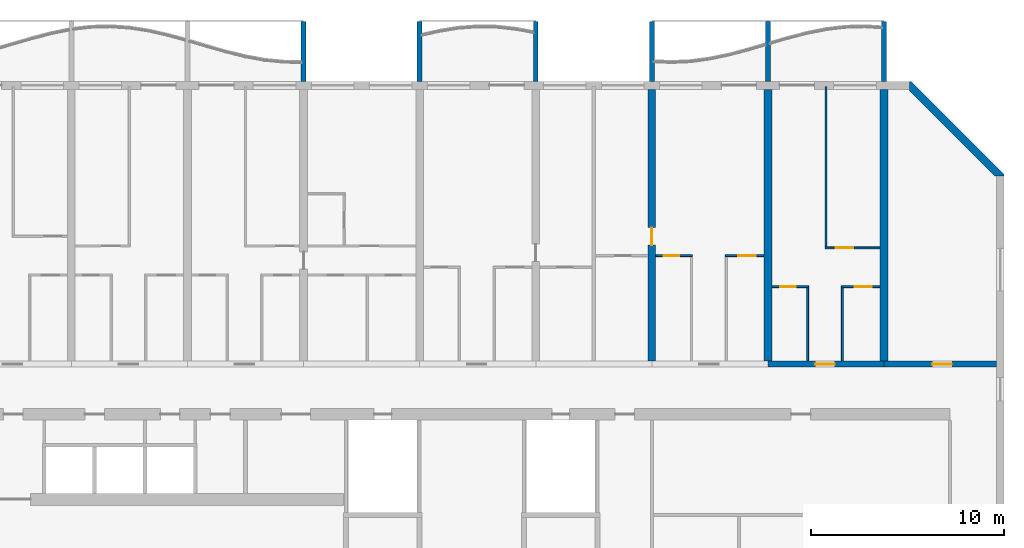
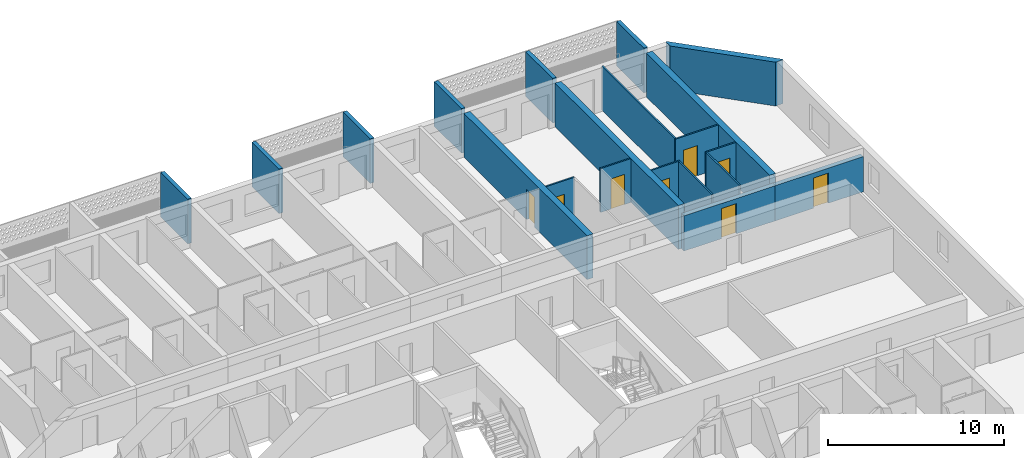
# One storey, part 19 of 44: 20 walls, 8 doors, 8 openings.
"""IFC4 building model written with IfcOpenShell, lengths in metres."""

from ifc_helpers import new_model, si_unit, direction, frame, frame_2d, origin, place, context, subcontext, project, spatial, polyline, rectangle, outline, extrude, source, transform, mapped, material, layer, layer_set, type_object, element, fill, save


model = new_model("IFC4")

# Units and contexts
model_context = context("Model", 3, precision=1e-05, world=origin(), true_north=direction((0.0, 1.0)))
body_context = subcontext(model_context, "Body", "Model", "MODEL_VIEW")
ifc_project = project(units=[si_unit("LENGTHUNIT", "METRE"), si_unit("AREAUNIT", "SQUARE_METRE"), si_unit("VOLUMEUNIT", "CUBIC_METRE"), si_unit("PLANEANGLEUNIT", "RADIAN"), si_unit("MASSUNIT", "GRAM", prefix="KILO")], contexts=[model_context])

# Site, building, storey
site_placement = place(None, origin())
site = spatial("IfcSite", under=ifc_project, at=site_placement, CompositionType="ELEMENT")
building_placement = place(site_placement, origin())
building = spatial("IfcBuilding", under=site, at=building_placement, Name="Poui Terraces", CompositionType="ELEMENT")
storey_placement = place(building_placement, frame((0.0, 0.0, 30.0)))
storey = spatial("IfcBuildingStorey", under=building, at=storey_placement, Name="L07", CompositionType="ELEMENT", Elevation=30.0)

# Wall, opening, door
ifc_material_1 = material(Name="Concrete 80 MPa", Category="concrete")
ifc_layer_1 = layer(ifc_material_1, 0.300048828125)
ifc_layer_set_1 = layer_set([ifc_layer_1], Name="Concrete 80 MPa")
wall_type_1 = type_object("IfcWallType", Name="CORRIDOR WALL 300 80MPa", PredefinedType="SHEAR", material=ifc_layer_set_1)
wall_1_placement = place(storey_placement, frame((90.0, 30.39990234375, 0.0), z_axis=(0.0, 0.0, 1.0), x_axis=(1.0, 0.0, 0.0)))
wall_1 = element("IfcWall", 1, at=wall_1_placement, inside=storey, type_object=wall_type_1, Name="CORRIDOR WALL LINE E BAY 16", PredefinedType="SHEAR", context=body_context, shape_type="SweptSolid", body=[
    extrude(rectangle(XDim=6.0, YDim=0.300048828125, at=frame_2d((3.0, 0.0))), origin(), (0.0, 0.0, 1.0), 2.449951171875),
])
opening_1_placement = place(wall_1_placement, frame((2.449951171875, 0.0, 0.0)))
opening_1 = element("IfcOpeningElement", 2, at=opening_1_placement, cuts=wall_1, Name="Opening FD30S", PredefinedType="OPENING", context=body_context, shape_type="SweptSolid", body=[
    extrude(rectangle(XDim=1.0, YDim=2.10009765625, at=frame_2d((0.5, 1.050048828125))), frame((0.0, 0.16015625, 0.0), z_axis=(0.0, -1.0, 0.0), x_axis=(1.0, 0.0, 0.0)), (0.0, 0.0, 1.0), 0.320068359375),
])
ifc_material_2 = material(Name="Steel fire door", Category="steel")
door_type_1 = type_object("IfcDoorType", Name="FLAT ENTRANCE DOOR 1000 X 2100", OperationType="NOTDEFINED", PredefinedType="DOOR", material=ifc_material_2)
door_1_placement = place(opening_1_placement, origin())
door_1 = element("IfcDoor", 3, at=door_1_placement, inside=storey, type_object=door_type_1, Name="FLAT ENTRANCE DOOR 087", OperationType="SINGLE_SWING_LEFT", OverallHeight=2.10009765625, OverallWidth=1.0, PredefinedType="DOOR", context=body_context, shape_type="SweptSolid", body=[
    extrude(rectangle(XDim=1.0, YDim=2.10009765625, at=frame_2d((0.5, 1.050048828125))), frame((0.0, 0.02490234375, 0.0), z_axis=(0.0, -1.0, 0.0), x_axis=(1.0, 0.0, 0.0)), (0.0, 0.0, 1.0), 0.050048828125),
])
fill(opening_1, door_1)

wall_2_placement = place(storey_placement, frame((96.0, 30.39990234375, 0.0), z_axis=(0.0, 0.0, 1.0), x_axis=(1.0, 0.0, 0.0)))
wall_2 = element("IfcWall", 4, at=wall_2_placement, inside=storey, type_object=wall_type_1, Name="CORRIDOR WALL LINE E BAY 17", PredefinedType="SHEAR", context=body_context, shape_type="SweptSolid", body=[
    extrude(rectangle(XDim=5.800048828125, YDim=0.300048828125, at=frame_2d((2.89990234375, 0.0))), origin(), (0.0, 0.0, 1.0), 2.449951171875),
])
opening_2_placement = place(wall_2_placement, frame((2.5, 0.0, 0.0)))
opening_2 = element("IfcOpeningElement", 5, at=opening_2_placement, cuts=wall_2, Name="Opening D100", PredefinedType="OPENING", context=body_context, shape_type="SweptSolid", body=[
    extrude(rectangle(XDim=1.0, YDim=2.10009765625, at=frame_2d((0.5, 1.050048828125))), frame((0.0, 0.16015625, 0.0), z_axis=(0.0, -1.0, 0.0), x_axis=(1.0, 0.0, 0.0)), (0.0, 0.0, 1.0), 0.320068359375),
])
ifc_material_3 = material(Name="Solid core timber door", Category="wood")
door_type_2 = type_object("IfcDoorType", Name="ACCESSIBLE INTERNAL DOOR 1000 X 2100", OperationType="NOTDEFINED", PredefinedType="DOOR", material=ifc_material_3)
door_2_placement = place(opening_2_placement, origin())
door_2 = element("IfcDoor", 6, at=door_2_placement, inside=storey, type_object=door_type_2, Name="ACCESSIBLE INTERNAL DOOR 090", OperationType="SINGLE_SWING_LEFT", OverallHeight=2.10009765625, OverallWidth=1.0, PredefinedType="DOOR", context=body_context, shape_type="SweptSolid", body=[
    extrude(rectangle(XDim=1.0, YDim=2.10009765625, at=frame_2d((0.5, 1.050048828125))), frame((0.0, 0.02490234375, 0.0), z_axis=(0.0, -1.0, 0.0), x_axis=(1.0, 0.0, 0.0)), (0.0, 0.0, 1.0), 0.050048828125),
])
fill(opening_2, door_2)

ifc_layer_2 = layer(ifc_material_1, 0.39990234375)
ifc_layer_set_2 = layer_set([ifc_layer_2], Name="Concrete 80 MPa")
wall_type_2 = type_object("IfcWallType", Name="CROSS WALL 400 80MPa", PredefinedType="SHEAR", material=ifc_layer_set_2)
wall_3_placement = place(storey_placement, frame((84.0, 30.550048828125, 0.0), z_axis=(0.0, 0.0, 1.0), x_axis=(0.0, 1.0, 0.0)))
wall_3 = element("IfcWall", 7, at=wall_3_placement, inside=storey, type_object=wall_type_2, Name="CROSS WALL LINE 15 NORTH", PredefinedType="SHEAR", context=body_context, shape_type="SweptSolid", body=[
    extrude(rectangle(XDim=14.050048828125, YDim=0.39990234375, at=frame_2d((7.02490234375, 0.0))), origin(), (0.0, 0.0, 1.0), 3.050048828125),
])
opening_3_placement = place(wall_3_placement, frame((6.0, 0.0, 0.0)))
opening_3 = element("IfcOpeningElement", 8, at=opening_3_placement, cuts=wall_3, Name="Opening D90", PredefinedType="OPENING", context=body_context, shape_type="SweptSolid", body=[
    extrude(rectangle(XDim=0.89990234375, YDim=2.10009765625, at=frame_2d((0.449951171875, 1.050048828125))), frame((0.0, 0.2099609375, 0.0), z_axis=(0.0, -1.0, 0.0), x_axis=(1.0, 0.0, 0.0)), (0.0, 0.0, 1.0), 0.419921875),
])
door_type_3 = type_object("IfcDoorType", Name="INTERNAL DOOR 900 X 2100", OperationType="NOTDEFINED", PredefinedType="DOOR", material=ifc_material_3)
door_3_placement = place(opening_3_placement, origin())
door_3 = element("IfcDoor", 9, at=door_3_placement, inside=storey, type_object=door_type_3, Name="INTERNAL DOOR 082", OperationType="SINGLE_SWING_LEFT", OverallHeight=2.10009765625, OverallWidth=0.89990234375, PredefinedType="DOOR", context=body_context, shape_type="SweptSolid", body=[
    extrude(rectangle(XDim=0.89990234375, YDim=2.10009765625, at=frame_2d((0.449951171875, 1.050048828125))), frame((0.0, 0.02490234375, 0.0), z_axis=(0.0, -1.0, 0.0), x_axis=(1.0, 0.0, 0.0)), (0.0, 0.0, 1.0), 0.050048828125),
])
fill(opening_3, door_3)

# Walls
for number, where, z_axis, x_axis, name in (
    (10, (90.0, 30.550048828125, 0.0), (0.0, 0.0, 1.0), (0.0, 1.0, 0.0), "CROSS WALL LINE 16 NORTH"),
    (11, (96.0, 30.550048828125, 0.0), (0.0, 0.0, 1.0), (0.0, 1.0, 0.0), "CROSS WALL LINE 17 NORTH"),
):
    element("IfcWall", number, at=place(storey_placement, frame(where, z_axis=z_axis, x_axis=x_axis)), inside=storey, type_object=wall_type_2, Name=name, PredefinedType="SHEAR", context=body_context, shape_type="SweptSolid", body=[
        extrude(rectangle(XDim=14.050048828125, YDim=0.39990234375, at=frame_2d((7.02490234375, 0.0))), origin(), (0.0, 0.0, 1.0), 3.050048828125),
    ])

# Wall, opening, door
ifc_material_4 = material(Name="Plasterboard partition")
ifc_layer_3 = layer(ifc_material_4, 0.10009765625)
ifc_layer_set_3 = layer_set([ifc_layer_3], Name="Plasterboard partition")
wall_type_3 = type_object("IfcWallType", Name="FLAT PARTITION 100", PredefinedType="PARTITIONING", material=ifc_layer_set_3)
wall_4_placement = place(storey_placement, frame((90.2099609375, 34.39990234375, 0.0), z_axis=(0.0, 0.0, 1.0), x_axis=(1.0, 0.0, 0.0)))
wall_4 = element("IfcWall", 12, at=wall_4_placement, inside=storey, type_object=wall_type_3, Name="FLAT PARTITION 100", PredefinedType="PARTITIONING", context=body_context, shape_type="SweptSolid", body=[
    extrude(rectangle(XDim=1.89013671875, YDim=0.10009765625, at=frame_2d((0.945068359375, 0.0))), origin(), (0.0, 0.0, 1.0), 3.050048828125),
])
opening_4_placement = place(wall_4_placement, frame((0.4150390625, 0.0, 0.0)))
opening_4 = element("IfcOpeningElement", 13, at=opening_4_placement, cuts=wall_4, Name="Opening D80", PredefinedType="OPENING", context=body_context, shape_type="SweptSolid", body=[
    extrude(rectangle(XDim=0.800048828125, YDim=2.10009765625, at=frame_2d((0.39990234375, 1.050048828125))), frame((0.0, 0.06005859375, 0.0), z_axis=(0.0, -1.0, 0.0), x_axis=(1.0, 0.0, 0.0)), (0.0, 0.0, 1.0), 0.1201171875),
])
door_type_4 = type_object("IfcDoorType", Name="BATHROOM, LAUNDRY AND STORE DOOR 800 X 2100", OperationType="NOTDEFINED", PredefinedType="DOOR", material=ifc_material_3)
door_4_placement = place(opening_4_placement, frame((0.800048828125, 0.0, 0.0), z_axis=(0.0, 0.0, 1.0), x_axis=(-1.0, 0.0, 0.0)))
door_4 = element("IfcDoor", 14, at=door_4_placement, inside=storey, type_object=door_type_4, Name="BATHROOM, LAUNDRY AND STORE DOOR 086", OperationType="SINGLE_SWING_LEFT", OverallHeight=2.10009765625, OverallWidth=0.800048828125, PredefinedType="DOOR", context=body_context, shape_type="SweptSolid", body=[
    extrude(rectangle(XDim=0.800048828125, YDim=2.10009765625, at=frame_2d((0.39990234375, 1.050048828125))), frame((0.0, 0.02490234375, 0.0), z_axis=(0.0, -1.0, 0.0), x_axis=(1.0, 0.0, 0.0)), (0.0, 0.0, 1.0), 0.050048828125),
])
fill(opening_4, door_4)

wall_5_placement = place(storey_placement, frame((93.800048828125, 34.39990234375, 0.0), z_axis=(0.0, 0.0, 1.0), x_axis=(1.0, 0.0, 0.0)))
wall_5 = element("IfcWall", 15, at=wall_5_placement, inside=storey, type_object=wall_type_3, Name="FLAT PARTITION 100", PredefinedType="PARTITIONING", context=body_context, shape_type="SweptSolid", body=[
    extrude(rectangle(XDim=1.989990234375, YDim=0.10009765625, at=frame_2d((0.9951171875, 0.0))), origin(), (0.0, 0.0, 1.0), 3.050048828125),
])
opening_5_placement = place(wall_5_placement, frame((0.675048828125, 0.0, 0.0)))
opening_5 = element("IfcOpeningElement", 16, at=opening_5_placement, cuts=wall_5, Name="Opening D90", PredefinedType="OPENING", context=body_context, shape_type="SweptSolid", body=[
    extrude(rectangle(XDim=0.89990234375, YDim=2.10009765625, at=frame_2d((0.449951171875, 1.050048828125))), frame((0.0, 0.06005859375, 0.0), z_axis=(0.0, -1.0, 0.0), x_axis=(1.0, 0.0, 0.0)), (0.0, 0.0, 1.0), 0.1201171875),
])
door_5_placement = place(opening_5_placement, frame((0.89990234375, 0.0, 0.0), z_axis=(0.0, 0.0, 1.0), x_axis=(-1.0, 0.0, 0.0)))
door_5 = element("IfcDoor", 17, at=door_5_placement, inside=storey, type_object=door_type_3, Name="INTERNAL DOOR 089", OperationType="SINGLE_SWING_RIGHT", OverallHeight=2.10009765625, OverallWidth=0.89990234375, PredefinedType="DOOR", context=body_context, shape_type="SweptSolid", body=[
    extrude(rectangle(XDim=0.89990234375, YDim=2.10009765625, at=frame_2d((0.449951171875, 1.050048828125))), frame((0.0, 0.02490234375, 0.0), z_axis=(0.0, -1.0, 0.0), x_axis=(1.0, 0.0, 0.0)), (0.0, 0.0, 1.0), 0.050048828125),
])
fill(opening_5, door_5)

wall_6_placement = place(storey_placement, frame((84.2099609375, 36.0, 0.0), z_axis=(0.0, 0.0, 1.0), x_axis=(1.0, 0.0, 0.0)))
wall_6 = element("IfcWall", 18, at=wall_6_placement, inside=storey, type_object=wall_type_3, Name="FLAT PARTITION 100", PredefinedType="PARTITIONING", context=body_context, shape_type="SweptSolid", body=[
    extrude(rectangle(XDim=1.89013671875, YDim=0.10009765625, at=frame_2d((0.945068359375, 0.0))), origin(), (0.0, 0.0, 1.0), 3.050048828125),
])
opening_6_placement = place(wall_6_placement, frame((0.4150390625, 0.0, 0.0)))
opening_6 = element("IfcOpeningElement", 19, at=opening_6_placement, cuts=wall_6, Name="Opening D80", PredefinedType="OPENING", context=body_context, shape_type="SweptSolid", body=[
    extrude(rectangle(XDim=0.800048828125, YDim=2.10009765625, at=frame_2d((0.39990234375, 1.050048828125))), frame((0.0, 0.06005859375, 0.0), z_axis=(0.0, -1.0, 0.0), x_axis=(1.0, 0.0, 0.0)), (0.0, 0.0, 1.0), 0.1201171875),
])
door_6_placement = place(opening_6_placement, frame((0.800048828125, 0.0, 0.0), z_axis=(0.0, 0.0, 1.0), x_axis=(-1.0, 0.0, 0.0)))
door_6 = element("IfcDoor", 20, at=door_6_placement, inside=storey, type_object=door_type_4, Name="BATHROOM, LAUNDRY AND STORE DOOR 083", OperationType="SINGLE_SWING_LEFT", OverallHeight=2.10009765625, OverallWidth=0.800048828125, PredefinedType="DOOR", context=body_context, shape_type="SweptSolid", body=[
    extrude(rectangle(XDim=0.800048828125, YDim=2.10009765625, at=frame_2d((0.39990234375, 1.050048828125))), frame((0.0, 0.02490234375, 0.0), z_axis=(0.0, -1.0, 0.0), x_axis=(1.0, 0.0, 0.0)), (0.0, 0.0, 1.0), 0.050048828125),
])
fill(opening_6, door_6)

wall_7_placement = place(storey_placement, frame((87.800048828125, 36.0, 0.0), z_axis=(0.0, 0.0, 1.0), x_axis=(1.0, 0.0, 0.0)))
wall_7 = element("IfcWall", 21, at=wall_7_placement, inside=storey, type_object=wall_type_3, Name="FLAT PARTITION 100", PredefinedType="PARTITIONING", context=body_context, shape_type="SweptSolid", body=[
    extrude(rectangle(XDim=1.989990234375, YDim=0.10009765625, at=frame_2d((0.9951171875, 0.0))), origin(), (0.0, 0.0, 1.0), 3.050048828125),
])
opening_7_placement = place(wall_7_placement, frame((0.675048828125, 0.0, 0.0)))
opening_7 = element("IfcOpeningElement", 22, at=opening_7_placement, cuts=wall_7, Name="Opening D90", PredefinedType="OPENING", context=body_context, shape_type="SweptSolid", body=[
    extrude(rectangle(XDim=0.89990234375, YDim=2.10009765625, at=frame_2d((0.449951171875, 1.050048828125))), frame((0.0, 0.06005859375, 0.0), z_axis=(0.0, -1.0, 0.0), x_axis=(1.0, 0.0, 0.0)), (0.0, 0.0, 1.0), 0.1201171875),
])
door_7_placement = place(opening_7_placement, frame((0.89990234375, 0.0, 0.0), z_axis=(0.0, 0.0, 1.0), x_axis=(-1.0, 0.0, 0.0)))
door_7 = element("IfcDoor", 23, at=door_7_placement, inside=storey, type_object=door_type_3, Name="INTERNAL DOOR 085", OperationType="SINGLE_SWING_RIGHT", OverallHeight=2.10009765625, OverallWidth=0.89990234375, PredefinedType="DOOR", context=body_context, shape_type="SweptSolid", body=[
    extrude(rectangle(XDim=0.89990234375, YDim=2.10009765625, at=frame_2d((0.449951171875, 1.050048828125))), frame((0.0, 0.02490234375, 0.0), z_axis=(0.0, -1.0, 0.0), x_axis=(1.0, 0.0, 0.0)), (0.0, 0.0, 1.0), 0.050048828125),
])
fill(opening_7, door_7)

wall_8_placement = place(storey_placement, frame((92.949951171875, 36.39990234375, 0.0), z_axis=(0.0, 0.0, 1.0), x_axis=(1.0, 0.0, 0.0)))
wall_8 = element("IfcWall", 24, at=wall_8_placement, inside=storey, type_object=wall_type_3, Name="FLAT PARTITION 100", PredefinedType="PARTITIONING", context=body_context, shape_type="SweptSolid", body=[
    extrude(rectangle(XDim=2.840087890625, YDim=0.10009765625, at=frame_2d((1.419921875, 0.0))), origin(), (0.0, 0.0, 1.0), 3.050048828125),
])
opening_8_placement = place(wall_8_placement, frame((0.550048828125, 0.0, 0.0)))
opening_8 = element("IfcOpeningElement", 25, at=opening_8_placement, cuts=wall_8, Name="Opening D90", PredefinedType="OPENING", context=body_context, shape_type="SweptSolid", body=[
    extrude(rectangle(XDim=0.89990234375, YDim=2.10009765625, at=frame_2d((0.449951171875, 1.050048828125))), frame((0.0, 0.06005859375, 0.0), z_axis=(0.0, -1.0, 0.0), x_axis=(1.0, 0.0, 0.0)), (0.0, 0.0, 1.0), 0.1201171875),
])
door_8_placement = place(opening_8_placement, frame((0.89990234375, 0.0, 0.0), z_axis=(0.0, 0.0, 1.0), x_axis=(-1.0, 0.0, 0.0)))
door_8 = element("IfcDoor", 26, at=door_8_placement, inside=storey, type_object=door_type_3, Name="INTERNAL DOOR 088", OperationType="SINGLE_SWING_LEFT", OverallHeight=2.10009765625, OverallWidth=0.89990234375, PredefinedType="DOOR", context=body_context, shape_type="SweptSolid", body=[
    extrude(rectangle(XDim=0.89990234375, YDim=2.10009765625, at=frame_2d((0.449951171875, 1.050048828125))), frame((0.0, 0.02490234375, 0.0), z_axis=(0.0, -1.0, 0.0), x_axis=(1.0, 0.0, 0.0)), (0.0, 0.0, 1.0), 0.050048828125),
])
fill(opening_8, door_8)

# Walls
wall_9_placement = place(storey_placement, frame((92.050048828125, 30.56005859375, 0.0), z_axis=(0.0, 0.0, 1.0), x_axis=(0.0, 1.0, 0.0)))
element("IfcWall", 27, at=wall_9_placement, inside=storey, type_object=wall_type_3, Name="FLAT PARTITION 100", PredefinedType="PARTITIONING", context=body_context, shape_type="SweptSolid", body=[
    extrude(rectangle(XDim=3.7900390625, YDim=0.10009765625, at=frame_2d((1.89501953125, 0.0))), origin(), (0.0, 0.0, 1.0), 3.050048828125),
])
wall_10_placement = place(storey_placement, frame((93.0, 36.449951171875, 0.0), z_axis=(0.0, 0.0, 1.0), x_axis=(0.0, 1.0, 0.0)))
element("IfcWall", 28, at=wall_10_placement, inside=storey, type_object=wall_type_3, Name="FLAT PARTITION 100", PredefinedType="PARTITIONING", context=body_context, shape_type="SweptSolid", body=[
    extrude(rectangle(XDim=8.2900390625, YDim=0.10009765625, at=frame_2d((4.14501953125, 0.0))), origin(), (0.0, 0.0, 1.0), 3.050048828125),
])
wall_11_placement = place(storey_placement, frame((93.85009765625, 30.56005859375, 0.0), z_axis=(0.0, 0.0, 1.0), x_axis=(0.0, 1.0, 0.0)))
element("IfcWall", 29, at=wall_11_placement, inside=storey, type_object=wall_type_3, Name="FLAT PARTITION 100", PredefinedType="PARTITIONING", context=body_context, shape_type="SweptSolid", body=[
    extrude(rectangle(XDim=3.7900390625, YDim=0.10009765625, at=frame_2d((1.89501953125, 0.0))), origin(), (0.0, 0.0, 1.0), 3.050048828125),
])
ifc_material_5 = material(Name="Precast concrete 40 MPa", Category="concrete")
ifc_layer_4 = layer(ifc_material_5, 0.39990234375)
ifc_layer_set_4 = layer_set([ifc_layer_4], Name="Precast concrete 40 MPa")
wall_type_4 = type_object("IfcWallType", Name="TERRACOTTA CLAD CHAMFER WALL 400", PredefinedType="STANDARD", material=ifc_layer_set_4)
wall_12_placement = place(storey_placement, origin())
element("IfcWall", 30, at=wall_12_placement, inside=storey, type_object=wall_type_4, Name="CHAMFER WALL CH03", PredefinedType="STANDARD", context=body_context, shape_type="SweptSolid", body=[
    extrude(outline(polyline([(102.199951171875, 40.1171875), (102.199951171875, 40.199951171875), (97.39990234375, 45.0), (97.317138671875, 45.0), (97.317138671875, 44.51708984375), (101.71728515625, 40.1171875), (102.199951171875, 40.1171875)])), origin(), (0.0, 0.0, 1.0), 3.050048828125),
])
ifc_layer_5 = layer(ifc_material_5, 0.25)
ifc_layer_set_5 = layer_set([ifc_layer_5], Name="Precast concrete 40 MPa")
wall_type_5 = type_object("IfcWallType", Name="BALCONY FIN 250", PredefinedType="STANDARD", material=ifc_layer_set_5)
shared_shape = source(origin(), body_context, "Body", "SweptSolid", [
    extrude(outline(polyline([(0.0, 0.0), (0.25, 0.0), (0.25, 3.10009765625), (0.0, 3.10009765625), (0.0, 0.0)])), origin(), (0.0, 0.0, 1.0), 3.10009765625),
])
for number, where, name in (
    (31, (65.875, 45.0, 0.0), "BALCONY FIN"),
    (32, (71.875, 45.0, 0.0), "BALCONY FIN"),
    (33, (77.875, 45.0, 0.0), "BALCONY FIN"),
    (34, (83.875, 45.0, 0.0), "BALCONY FIN"),
    (35, (89.875, 45.0, 0.0), "BALCONY FIN"),
    (36, (95.875, 45.0, 0.0), "BALCONY FIN"),
):
    element("IfcWall", number, at=place(storey_placement, frame(where)), inside=storey, type_object=wall_type_5, Name=name, PredefinedType="STANDARD", context=body_context, shape_type="MappedRepresentation", body=[
        mapped(shared_shape, transform((0.0, 0.0, 0.0))),
    ])

save(model, "model.ifc")
